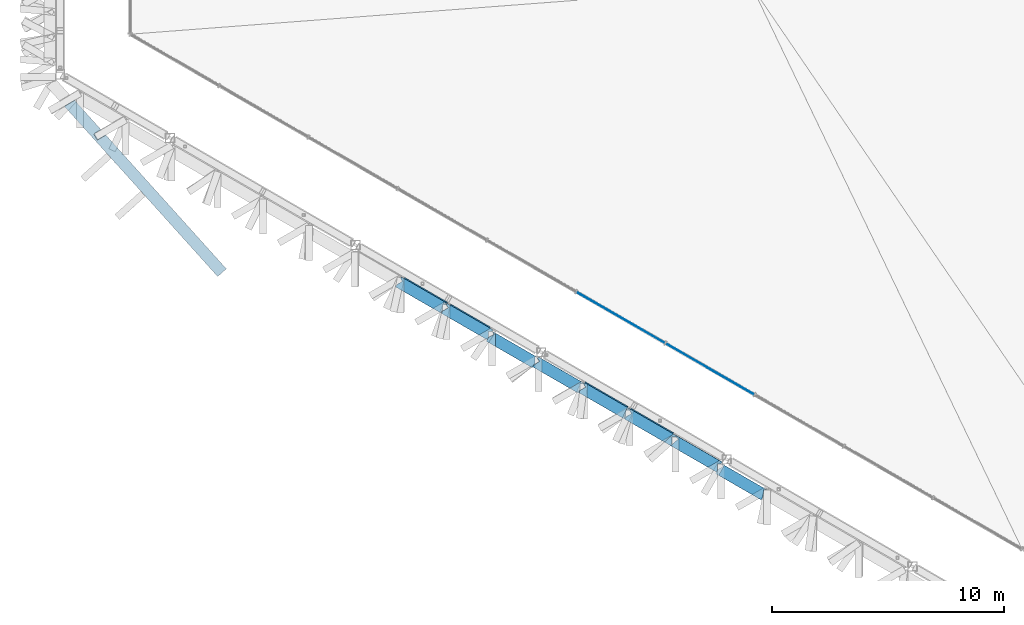
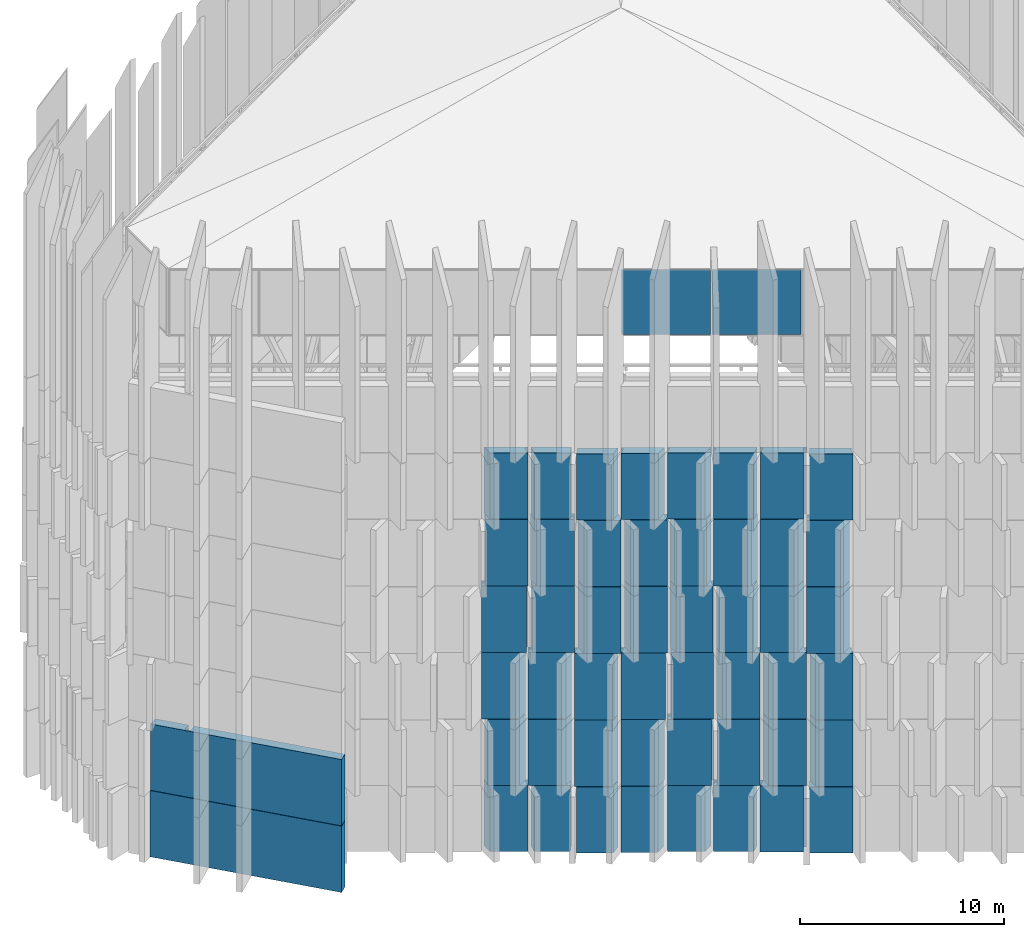
# One storey, part 26 of 45: 52 plates, 1 element without a shape of its own.
"""IFC4 building model written with IfcOpenShell, lengths in metres."""

from ifc_helpers import new_model, si_unit, direction, frame, origin, origin_2d, place, context, subcontext, project, spatial, polyline, rectangle, outline, extrude, material, layer, layer_set, type_object, element, aggregate, save


model = new_model("IFC4")

# Units and contexts
model_context = context("Model", 3, precision=1e-05, world=origin(), true_north=direction((0.0, 1.0)))
body_context = subcontext(model_context, "Body", "Model", "MODEL_VIEW")
ifc_project = project(units=[si_unit("LENGTHUNIT", "METRE"), si_unit("AREAUNIT", "SQUARE_METRE"), si_unit("VOLUMEUNIT", "CUBIC_METRE"), si_unit("PLANEANGLEUNIT", "RADIAN"), si_unit("MASSUNIT", "GRAM", prefix="KILO")], contexts=[model_context])

# Site, building, storey
site_placement = place(None, origin())
site = spatial("IfcSite", under=ifc_project, at=site_placement, CompositionType="ELEMENT")
building_placement = place(site_placement, origin())
building = spatial("IfcBuilding", under=site, at=building_placement, Name="Jabali Bay Hotel Tower and Convention Centre", CompositionType="ELEMENT")
storey_placement = place(building_placement, frame((0.0, 0.0, 322.39990234375)))
storey = spatial("IfcBuildingStorey", under=building, at=storey_placement, Name="Crown", CompositionType="ELEMENT", Elevation=322.39990234375)

# Curtain wall, plates
ifc_material_1 = material(Name="Aluminium and glass", Category="aluminium")
ifc_layer_1 = layer(ifc_material_1, 0.199951171875)
ifc_layer_set_1 = layer_set([ifc_layer_1], Name="Aluminium and glass")
curtain_wall_type = type_object("IfcCurtainWallType", Name="CW6 curtain wall", PredefinedType="NOTDEFINED", material=ifc_layer_set_1)
curtain_wall_placement = place(storey_placement, origin())
curtain_wall = element("IfcCurtainWall", 1, at=curtain_wall_placement, inside=storey, type_object=curtain_wall_type, Name="CW6 lantern glazing 5", PredefinedType="NOTDEFINED")
ifc_material_2 = material(Name="Glass", Category="glass")
ifc_layer_2 = layer(ifc_material_2, 0.031982421875)
ifc_layer_set_2 = layer_set([ifc_layer_2], Name="Glass")
plate_type_1 = type_object("IfcPlateType", Name="CW6 glass panel 32", PredefinedType="CURTAIN_PANEL", material=ifc_layer_set_2)
plate_1_placement = place(storey_placement, frame((69.345703125, 65.772216796875, 28.41015625), z_axis=(0.0, 0.0, 1.0), x_axis=(0.866025400826, -0.500000005124, 0.0)))
plate_1 = element("IfcPlate", 2, at=plate_1_placement, type_object=plate_type_1, Name="CW6 panel 6.1", PredefinedType="CURTAIN_PANEL", context=body_context, shape_type="SweptSolid", body=[
    extrude(rectangle(XDim=4.3740234375, YDim=0.031982421875, at=origin_2d()), origin(), (0.0, 0.0, 1.0), 3.8798828125),
])
plate_2_placement = place(storey_placement, frame((73.185546875, 63.55517578125, 28.41015625), z_axis=(0.0, 0.0, 1.0), x_axis=(0.866025400826, -0.500000005124, 0.0)))
plate_2 = element("IfcPlate", 3, at=plate_2_placement, type_object=plate_type_1, Name="CW6 panel 7.1", PredefinedType="CURTAIN_PANEL", context=body_context, shape_type="SweptSolid", body=[
    extrude(rectangle(XDim=4.3740234375, YDim=0.031982421875, at=origin_2d()), origin(), (0.0, 0.0, 1.0), 3.8798828125),
])
aggregate(curtain_wall, [plate_1, plate_2])

# Plates
ifc_material_3 = material(Name="Precast concrete C60", Category="concrete")
ifc_layer_3 = layer(ifc_material_3, 0.5)
ifc_layer_set_3 = layer_set([ifc_layer_3], Name="Precast concrete C60")
plate_type_2 = type_object("IfcPlateType", Name="Pierced precast screen", PredefinedType="USERDEFINED", material=ifc_layer_set_3)
plate_3_placement = place(storey_placement, frame((0.0, 0.0, 0.010009765625)))
element("IfcPlate", 4, at=plate_3_placement, inside=storey, type_object=plate_type_2, Name="Screen 1.4.63", ObjectType="SCREEN", PredefinedType="USERDEFINED", context=body_context, shape_type="SweptSolid", body=[
    extrude(outline(polyline([(61.90771484375, 66.42919921875), (60.048828125, 67.50244140625), (60.048828125, 66.925048828125), (61.650390625, 66.00048828125), (61.737548828125, 66.419189453125), (61.88427734375, 66.388427734375), (61.90771484375, 66.42919921875)])), origin(), (0.0, 0.0, 1.0), 3.9658203125),
])
plate_4_placement = place(storey_placement, frame((0.0, 0.0, 0.010009765625)))
element("IfcPlate", 5, at=plate_4_placement, inside=storey, type_object=plate_type_2, Name="Screen 1.4.64", ObjectType="SCREEN", PredefinedType="USERDEFINED", context=body_context, shape_type="SweptSolid", body=[
    extrude(outline(polyline([(63.749755859375, 65.36572265625), (62.03125, 66.35791015625), (61.923828125, 65.842529296875), (63.467529296875, 64.951171875), (63.749755859375, 65.36572265625)])), origin(), (0.0, 0.0, 1.0), 3.9658203125),
])
plate_5_placement = place(storey_placement, frame((0.0, 0.0, 0.010009765625)))
element("IfcPlate", 6, at=plate_5_placement, inside=storey, type_object=plate_type_2, Name="Screen 1.4.65", ObjectType="SCREEN", PredefinedType="USERDEFINED", context=body_context, shape_type="SweptSolid", body=[
    extrude(outline(polyline([(65.659423828125, 64.12109375), (63.940673828125, 65.11328125), (63.65869140625, 64.69873046875), (65.222412109375, 63.7958984375), (65.659423828125, 64.12109375)])), origin(), (0.0, 0.0, 1.0), 3.9658203125),
])
plate_6_placement = place(storey_placement, frame((0.0, 0.0, 0.010009765625)))
element("IfcPlate", 7, at=plate_6_placement, inside=storey, type_object=plate_type_2, Name="Screen 1.4.66", ObjectType="SCREEN", PredefinedType="USERDEFINED", context=body_context, shape_type="SweptSolid", body=[
    extrude(outline(polyline([(67.628662109375, 63.032958984375), (65.81005859375, 64.082763671875), (65.773193359375, 64.018798828125), (65.86279296875, 63.8984375), (65.583984375, 63.691162109375), (65.56005859375, 63.649658203125), (67.128662109375, 62.744140625), (67.628662109375, 63.032958984375)])), origin(), (0.0, 0.0, 1.0), 3.9658203125),
])
plate_7_placement = place(storey_placement, frame((0.0, 0.0, 0.010009765625)))
element("IfcPlate", 8, at=plate_7_placement, inside=storey, type_object=plate_type_2, Name="Screen 1.4.67", ObjectType="SCREEN", PredefinedType="USERDEFINED", context=body_context, shape_type="SweptSolid", body=[
    extrude(outline(polyline([(69.680908203125, 61.94140625), (67.822021484375, 63.0146484375), (67.784423828125, 62.94970703125), (67.859619140625, 62.81982421875), (67.634521484375, 62.68994140625), (67.572021484375, 62.58154296875), (69.180908203125, 61.652587890625), (69.680908203125, 61.94140625)])), origin(), (0.0, 0.0, 1.0), 3.9658203125),
])
plate_8_placement = place(storey_placement, frame((0.0, 0.0, 0.010009765625)))
element("IfcPlate", 9, at=plate_8_placement, inside=storey, type_object=plate_type_2, Name="Screen 1.4.68", ObjectType="SCREEN", PredefinedType="USERDEFINED", context=body_context, shape_type="SweptSolid", body=[
    extrude(outline(polyline([(71.641357421875, 60.8095703125), (69.79345703125, 61.87646484375), (69.755859375, 61.8115234375), (69.830810546875, 61.681640625), (69.60595703125, 61.5517578125), (69.54345703125, 61.443359375), (71.25, 60.4580078125), (71.641357421875, 60.8095703125)])), origin(), (0.0, 0.0, 1.0), 3.9658203125),
])
plate_9_placement = place(storey_placement, frame((0.0, 0.0, 0.010009765625)))
element("IfcPlate", 10, at=plate_9_placement, inside=storey, type_object=plate_type_2, Name="Screen 1.4.69", ObjectType="SCREEN", PredefinedType="USERDEFINED", context=body_context, shape_type="SweptSolid", body=[
    extrude(outline(polyline([(73.712890625, 59.5595703125), (71.7421875, 60.697021484375), (71.841796875, 60.58642578125), (71.499755859375, 60.279296875), (71.491455078125, 60.2646484375), (73.335205078125, 59.2001953125), (73.544189453125, 59.5673828125), (73.674560546875, 59.4931640625), (73.712890625, 59.5595703125)])), origin(), (0.0, 0.0, 1.0), 3.9658203125),
])
plate_10_placement = place(storey_placement, frame((0.0, 0.0, 0.010009765625)))
element("IfcPlate", 11, at=plate_10_placement, inside=storey, type_object=plate_type_2, Name="Screen 1.4.70", ObjectType="SCREEN", PredefinedType="USERDEFINED", context=body_context, shape_type="SweptSolid", body=[
    extrude(outline(polyline([(75.531005859375, 58.421630859375), (73.804443359375, 59.41845703125), (73.55712890625, 58.98388671875), (75.39599609375, 57.922119140625), (75.44921875, 58.014404296875), (75.531005859375, 58.421630859375)])), origin(), (0.0, 0.0, 1.0), 3.9658203125),
])
plate_11_placement = place(storey_placement, frame((0.0, 0.0, 3.995849609375)))
element("IfcPlate", 12, at=plate_11_placement, inside=storey, type_object=plate_type_2, Name="Screen 2.4.63", ObjectType="SCREEN", PredefinedType="USERDEFINED", context=body_context, shape_type="SweptSolid", body=[
    extrude(outline(polyline([(61.770263671875, 66.450927734375), (60.03515625, 67.45263671875), (59.922119140625, 66.9404296875), (61.270263671875, 66.162109375), (61.770263671875, 66.450927734375)])), origin(), (0.0, 0.0, 1.0), 3.965576171875),
])
plate_12_placement = place(storey_placement, frame((0.0, 0.0, 3.995849609375)))
element("IfcPlate", 13, at=plate_12_placement, inside=storey, type_object=plate_type_2, Name="Screen 2.4.64", ObjectType="SCREEN", PredefinedType="USERDEFINED", context=body_context, shape_type="SweptSolid", body=[
    extrude(outline(polyline([(63.74169921875, 65.312744140625), (61.8828125, 66.385986328125), (61.84521484375, 66.321044921875), (61.92041015625, 66.191162109375), (61.6953125, 66.06103515625), (61.6328125, 65.952880859375), (63.24169921875, 65.02392578125), (63.74169921875, 65.312744140625)])), origin(), (0.0, 0.0, 1.0), 3.965576171875),
])
plate_13_placement = place(storey_placement, frame((0.0, 0.0, 3.995849609375)))
element("IfcPlate", 14, at=plate_13_placement, inside=storey, type_object=plate_type_2, Name="Screen 2.4.65", ObjectType="SCREEN", PredefinedType="USERDEFINED", context=body_context, shape_type="SweptSolid", body=[
    extrude(outline(polyline([(65.66015625, 64.12060546875), (63.817626953125, 65.184326171875), (63.816650390625, 65.182861328125), (63.891845703125, 65.052734375), (63.666748046875, 64.9228515625), (63.567626953125, 64.751220703125), (65.16015625, 63.831787109375), (65.66015625, 64.12060546875)])), origin(), (0.0, 0.0, 1.0), 3.965576171875),
])
plate_14_placement = place(storey_placement, frame((0.0, 0.0, 3.995849609375)))
element("IfcPlate", 15, at=plate_14_placement, inside=storey, type_object=plate_type_2, Name="Screen 2.4.66", ObjectType="SCREEN", PredefinedType="USERDEFINED", context=body_context, shape_type="SweptSolid", body=[
    extrude(outline(polyline([(67.653564453125, 63.018310546875), (65.81005859375, 64.082763671875), (65.767822265625, 64.009521484375), (65.843017578125, 63.879638671875), (65.617919921875, 63.749755859375), (65.56005859375, 63.649658203125), (67.153564453125, 62.729736328125), (67.653564453125, 63.018310546875)])), origin(), (0.0, 0.0, 1.0), 3.965576171875),
])
plate_15_placement = place(storey_placement, frame((0.0, 0.0, 3.995849609375)))
element("IfcPlate", 16, at=plate_15_placement, inside=storey, type_object=plate_type_2, Name="Screen 2.4.67", ObjectType="SCREEN", PredefinedType="USERDEFINED", context=body_context, shape_type="SweptSolid", body=[
    extrude(outline(polyline([(69.768310546875, 61.8330078125), (67.797119140625, 62.97119140625), (67.759521484375, 62.906494140625), (67.83447265625, 62.7763671875), (67.609619140625, 62.646484375), (67.547119140625, 62.538330078125), (69.425537109375, 61.45361328125), (69.625732421875, 61.884765625), (69.76171875, 61.821533203125), (69.768310546875, 61.8330078125)])), origin(), (0.0, 0.0, 1.0), 3.965576171875),
])
plate_16_placement = place(storey_placement, frame((0.0, 0.0, 3.995849609375)))
element("IfcPlate", 17, at=plate_16_placement, inside=storey, type_object=plate_type_2, Name="Screen 2.4.68", ObjectType="SCREEN", PredefinedType="USERDEFINED", context=body_context, shape_type="SweptSolid", body=[
    extrude(outline(polyline([(71.73974609375, 60.69482421875), (69.897705078125, 61.75830078125), (69.6865234375, 61.30322265625), (71.48974609375, 60.261962890625), (71.55224609375, 60.3701171875), (71.55224609375, 60.6298828125), (71.702392578125, 60.6298828125), (71.73974609375, 60.69482421875)])), origin(), (0.0, 0.0, 1.0), 3.965576171875),
])
plate_17_placement = place(storey_placement, frame((0.0, 0.0, 3.995849609375)))
element("IfcPlate", 18, at=plate_17_placement, inside=storey, type_object=plate_type_2, Name="Screen 2.4.69", ObjectType="SCREEN", PredefinedType="USERDEFINED", context=body_context, shape_type="SweptSolid", body=[
    extrude(outline(polyline([(73.711181640625, 59.556640625), (71.852294921875, 60.6298828125), (71.852294921875, 60.052734375), (73.461181640625, 59.123779296875), (73.511962890625, 59.21142578125), (73.511962890625, 59.471435546875), (73.661865234375, 59.471435546875), (73.711181640625, 59.556640625)])), origin(), (0.0, 0.0, 1.0), 3.965576171875),
])
plate_18_placement = place(storey_placement, frame((0.0, 0.0, 3.995849609375)))
element("IfcPlate", 19, at=plate_18_placement, inside=storey, type_object=plate_type_2, Name="Screen 2.4.70", ObjectType="SCREEN", PredefinedType="USERDEFINED", context=body_context, shape_type="SweptSolid", body=[
    extrude(outline(polyline([(75.64599609375, 58.355224609375), (73.81201171875, 59.4140625), (73.81201171875, 58.836669921875), (75.39599609375, 57.922119140625), (75.4951171875, 58.09375), (75.4951171875, 58.353515625), (75.64501953125, 58.353515625), (75.64599609375, 58.355224609375)])), origin(), (0.0, 0.0, 1.0), 3.965576171875),
])
plate_19_placement = place(storey_placement, frame((0.0, 0.0, 7.9814453125)))
element("IfcPlate", 20, at=plate_19_placement, inside=storey, type_object=plate_type_2, Name="Screen 3.4.63", ObjectType="SCREEN", PredefinedType="USERDEFINED", context=body_context, shape_type="SweptSolid", body=[
    extrude(outline(polyline([(61.770263671875, 66.450927734375), (59.911376953125, 67.524169921875), (59.8798828125, 67.4697265625), (59.966552734375, 67.34716796875), (59.700927734375, 67.15966796875), (59.661376953125, 67.091064453125), (61.270263671875, 66.162109375), (61.770263671875, 66.450927734375)])), origin(), (0.0, 0.0, 1.0), 3.9658203125),
])
plate_20_placement = place(storey_placement, frame((0.0, 0.0, 7.9814453125)))
element("IfcPlate", 21, at=plate_20_placement, inside=storey, type_object=plate_type_2, Name="Screen 3.4.64", ObjectType="SCREEN", PredefinedType="USERDEFINED", context=body_context, shape_type="SweptSolid", body=[
    extrude(outline(polyline([(63.74169921875, 65.312744140625), (61.8828125, 66.385986328125), (61.84521484375, 66.321044921875), (61.92041015625, 66.191162109375), (61.6953125, 66.06103515625), (61.6328125, 65.952880859375), (63.24169921875, 65.02392578125), (63.74169921875, 65.312744140625)])), origin(), (0.0, 0.0, 1.0), 3.9658203125),
])
plate_21_placement = place(storey_placement, frame((0.0, 0.0, 7.9814453125)))
element("IfcPlate", 22, at=plate_21_placement, inside=storey, type_object=plate_type_2, Name="Screen 3.4.65", ObjectType="SCREEN", PredefinedType="USERDEFINED", context=body_context, shape_type="SweptSolid", body=[
    extrude(outline(polyline([(65.6591796875, 64.12109375), (63.817626953125, 65.184326171875), (63.816650390625, 65.182861328125), (63.891845703125, 65.052734375), (63.666748046875, 64.9228515625), (63.567626953125, 64.751220703125), (65.23876953125, 63.786376953125), (65.6591796875, 64.12109375)])), origin(), (0.0, 0.0, 1.0), 3.9658203125),
])
plate_22_placement = place(storey_placement, frame((0.0, 0.0, 7.9814453125)))
element("IfcPlate", 23, at=plate_22_placement, inside=storey, type_object=plate_type_2, Name="Screen 3.4.66", ObjectType="SCREEN", PredefinedType="USERDEFINED", context=body_context, shape_type="SweptSolid", body=[
    extrude(outline(polyline([(67.66162109375, 63.013916015625), (65.81005859375, 64.082763671875), (65.774658203125, 64.021240234375), (65.8681640625, 63.90380859375), (65.56982421875, 63.66650390625), (65.56005859375, 63.649658203125), (67.44873046875, 62.559326171875), (67.65185546875, 63.01806640625), (67.66162109375, 63.013916015625)])), origin(), (0.0, 0.0, 1.0), 3.9658203125),
])
plate_23_placement = place(storey_placement, frame((0.0, 0.0, 7.9814453125)))
element("IfcPlate", 24, at=plate_23_placement, inside=storey, type_object=plate_type_2, Name="Screen 3.4.67", ObjectType="SCREEN", PredefinedType="USERDEFINED", context=body_context, shape_type="SweptSolid", body=[
    extrude(outline(polyline([(69.768310546875, 61.8330078125), (67.92626953125, 62.896728515625), (67.72265625, 62.436767578125), (69.518310546875, 61.400146484375), (69.580810546875, 61.50830078125), (69.580810546875, 61.768310546875), (69.73095703125, 61.768310546875), (69.768310546875, 61.8330078125)])), origin(), (0.0, 0.0, 1.0), 3.9658203125),
])
plate_24_placement = place(storey_placement, frame((0.0, 0.0, 7.9814453125)))
element("IfcPlate", 25, at=plate_24_placement, inside=storey, type_object=plate_type_2, Name="Screen 3.4.68", ObjectType="SCREEN", PredefinedType="USERDEFINED", context=body_context, shape_type="SweptSolid", body=[
    extrude(outline(polyline([(71.73974609375, 60.69482421875), (69.880859375, 61.76806640625), (69.880859375, 61.19091796875), (71.48974609375, 60.261962890625), (71.55224609375, 60.3701171875), (71.55224609375, 60.6298828125), (71.702392578125, 60.6298828125), (71.73974609375, 60.69482421875)])), origin(), (0.0, 0.0, 1.0), 3.9658203125),
])
plate_25_placement = place(storey_placement, frame((0.0, 0.0, 7.9814453125)))
element("IfcPlate", 26, at=plate_25_placement, inside=storey, type_object=plate_type_2, Name="Screen 3.4.69", ObjectType="SCREEN", PredefinedType="USERDEFINED", context=body_context, shape_type="SweptSolid", body=[
    extrude(outline(polyline([(73.711181640625, 59.556640625), (71.852294921875, 60.6298828125), (71.852294921875, 60.052734375), (73.461181640625, 59.123779296875), (73.511962890625, 59.21142578125), (73.511962890625, 59.471435546875), (73.661865234375, 59.471435546875), (73.711181640625, 59.556640625)])), origin(), (0.0, 0.0, 1.0), 3.9658203125),
])
plate_26_placement = place(storey_placement, frame((0.0, 0.0, 7.9814453125)))
element("IfcPlate", 27, at=plate_26_placement, inside=storey, type_object=plate_type_2, Name="Screen 3.4.70", ObjectType="SCREEN", PredefinedType="USERDEFINED", context=body_context, shape_type="SweptSolid", body=[
    extrude(outline(polyline([(75.5830078125, 58.3916015625), (73.81201171875, 59.4140625), (73.81201171875, 58.836669921875), (75.39599609375, 57.922119140625), (75.42578125, 57.973876953125), (75.51123046875, 58.40576171875), (75.5830078125, 58.3916015625)])), origin(), (0.0, 0.0, 1.0), 3.9658203125),
])
plate_27_placement = place(storey_placement, frame((0.0, 0.0, 11.96728515625)))
element("IfcPlate", 28, at=plate_27_placement, inside=storey, type_object=plate_type_2, Name="Screen 4.4.63", ObjectType="SCREEN", PredefinedType="USERDEFINED", context=body_context, shape_type="SweptSolid", body=[
    extrude(outline(polyline([(61.8828125, 66.385986328125), (59.911376953125, 67.524169921875), (59.8740234375, 67.459228515625), (59.948974609375, 67.329345703125), (59.723876953125, 67.19921875), (59.661376953125, 67.091064453125), (61.568359375, 65.989990234375), (61.73046875, 66.418212890625), (61.870849609375, 66.364990234375), (61.8828125, 66.385986328125)])), origin(), (0.0, 0.0, 1.0), 3.965576171875),
])
plate_28_placement = place(storey_placement, frame((0.0, 0.0, 11.96728515625)))
element("IfcPlate", 29, at=plate_28_placement, inside=storey, type_object=plate_type_2, Name="Screen 4.4.64", ObjectType="SCREEN", PredefinedType="USERDEFINED", context=body_context, shape_type="SweptSolid", body=[
    extrude(outline(polyline([(63.854248046875, 65.247802734375), (62.010986328125, 66.311767578125), (61.83154296875, 65.838134765625), (63.604248046875, 64.814697265625), (63.666748046875, 64.9228515625), (63.666748046875, 65.182861328125), (63.816650390625, 65.182861328125), (63.854248046875, 65.247802734375)])), origin(), (0.0, 0.0, 1.0), 3.965576171875),
])
plate_29_placement = place(storey_placement, frame((0.0, 0.0, 11.96728515625)))
element("IfcPlate", 30, at=plate_29_placement, inside=storey, type_object=plate_type_2, Name="Screen 4.4.65", ObjectType="SCREEN", PredefinedType="USERDEFINED", context=body_context, shape_type="SweptSolid", body=[
    extrude(outline(polyline([(65.7255859375, 64.082763671875), (63.966796875, 65.09814453125), (63.966796875, 64.52099609375), (65.5390625, 63.613037109375), (65.66015625, 63.822998046875), (65.66015625, 64.082763671875), (65.7255859375, 64.082763671875)])), origin(), (0.0, 0.0, 1.0), 3.965576171875),
])
plate_30_placement = place(storey_placement, frame((0.0, 0.0, 11.96728515625)))
element("IfcPlate", 31, at=plate_30_placement, inside=storey, type_object=plate_type_2, Name="Screen 4.4.66", ObjectType="SCREEN", PredefinedType="USERDEFINED", context=body_context, shape_type="SweptSolid", body=[
    extrude(outline(polyline([(67.781494140625, 62.944580078125), (65.960205078125, 63.99609375), (65.960205078125, 63.418701171875), (67.531494140625, 62.511474609375), (67.609619140625, 62.646484375), (67.609619140625, 62.906494140625), (67.759521484375, 62.906494140625), (67.781494140625, 62.944580078125)])), origin(), (0.0, 0.0, 1.0), 3.965576171875),
])
plate_31_placement = place(storey_placement, frame((0.0, 0.0, 11.96728515625)))
element("IfcPlate", 32, at=plate_31_placement, inside=storey, type_object=plate_type_2, Name="Screen 4.4.67", ObjectType="SCREEN", PredefinedType="USERDEFINED", context=body_context, shape_type="SweptSolid", body=[
    extrude(outline(polyline([(69.768310546875, 61.8330078125), (67.909423828125, 62.90625), (67.909423828125, 62.3291015625), (69.495849609375, 61.4130859375), (69.6025390625, 61.83447265625), (69.748046875, 61.7978515625), (69.768310546875, 61.8330078125)])), origin(), (0.0, 0.0, 1.0), 3.965576171875),
])
plate_32_placement = place(storey_placement, frame((0.0, 0.0, 11.96728515625)))
element("IfcPlate", 33, at=plate_32_placement, inside=storey, type_object=plate_type_2, Name="Screen 4.4.68", ObjectType="SCREEN", PredefinedType="USERDEFINED", context=body_context, shape_type="SweptSolid", body=[
    extrude(outline(polyline([(71.61767578125, 60.765380859375), (69.893310546875, 61.760986328125), (69.765869140625, 61.257080078125), (71.210205078125, 60.42333984375), (71.61767578125, 60.765380859375)])), origin(), (0.0, 0.0, 1.0), 3.965576171875),
])
plate_33_placement = place(storey_placement, frame((0.0, 0.0, 11.96728515625)))
element("IfcPlate", 34, at=plate_33_placement, inside=storey, type_object=plate_type_2, Name="Screen 4.4.69", ObjectType="SCREEN", PredefinedType="USERDEFINED", context=body_context, shape_type="SweptSolid", body=[
    extrude(outline(polyline([(73.5986328125, 59.62158203125), (71.73974609375, 60.69482421875), (71.714111328125, 60.650634765625), (71.810546875, 60.53564453125), (71.49462890625, 60.2705078125), (71.48974609375, 60.261962890625), (73.0986328125, 59.3330078125), (73.5986328125, 59.62158203125)])), origin(), (0.0, 0.0, 1.0), 3.965576171875),
])
plate_34_placement = place(storey_placement, frame((0.0, 0.0, 11.96728515625)))
element("IfcPlate", 35, at=plate_34_placement, inside=storey, type_object=plate_type_2, Name="Screen 4.4.70", ObjectType="SCREEN", PredefinedType="USERDEFINED", context=body_context, shape_type="SweptSolid", body=[
    extrude(outline(polyline([(75.496826171875, 58.441162109375), (73.674560546875, 59.493408203125), (73.673828125, 59.49169921875), (73.748779296875, 59.36181640625), (73.523681640625, 59.23193359375), (73.424560546875, 59.060302734375), (74.996826171875, 58.152587890625), (75.496826171875, 58.441162109375)])), origin(), (0.0, 0.0, 1.0), 3.965576171875),
])
plate_35_placement = place(storey_placement, frame((0.0, 0.0, 15.952880859375)))
element("IfcPlate", 36, at=plate_35_placement, inside=storey, type_object=plate_type_2, Name="Screen 5.4.63", ObjectType="SCREEN", PredefinedType="USERDEFINED", context=body_context, shape_type="SweptSolid", body=[
    extrude(outline(polyline([(61.8828125, 66.385986328125), (60.041015625, 67.44921875), (59.82470703125, 66.996826171875), (61.6328125, 65.952880859375), (61.6953125, 66.06103515625), (61.6953125, 66.321044921875), (61.84521484375, 66.321044921875), (61.8828125, 66.385986328125)])), origin(), (0.0, 0.0, 1.0), 3.9658203125),
])
plate_36_placement = place(storey_placement, frame((0.0, 0.0, 15.952880859375)))
element("IfcPlate", 37, at=plate_36_placement, inside=storey, type_object=plate_type_2, Name="Screen 5.4.64", ObjectType="SCREEN", PredefinedType="USERDEFINED", context=body_context, shape_type="SweptSolid", body=[
    extrude(outline(polyline([(63.854248046875, 65.247802734375), (61.995361328125, 66.32080078125), (61.995361328125, 65.74365234375), (63.604248046875, 64.814697265625), (63.666748046875, 64.9228515625), (63.666748046875, 65.182861328125), (63.816650390625, 65.182861328125), (63.854248046875, 65.247802734375)])), origin(), (0.0, 0.0, 1.0), 3.9658203125),
])
plate_37_placement = place(storey_placement, frame((0.0, 0.0, 15.952880859375)))
element("IfcPlate", 38, at=plate_37_placement, inside=storey, type_object=plate_type_2, Name="Screen 5.4.65", ObjectType="SCREEN", PredefinedType="USERDEFINED", context=body_context, shape_type="SweptSolid", body=[
    extrude(outline(polyline([(65.7255859375, 64.082763671875), (63.966796875, 65.09814453125), (63.966796875, 64.52099609375), (65.5390625, 63.613037109375), (65.66015625, 63.822998046875), (65.66015625, 64.082763671875), (65.7255859375, 64.082763671875)])), origin(), (0.0, 0.0, 1.0), 3.9658203125),
])
plate_38_placement = place(storey_placement, frame((0.0, 0.0, 15.952880859375)))
element("IfcPlate", 39, at=plate_38_placement, inside=storey, type_object=plate_type_2, Name="Screen 5.4.66", ObjectType="SCREEN", PredefinedType="USERDEFINED", context=body_context, shape_type="SweptSolid", body=[
    extrude(outline(polyline([(67.781494140625, 62.944580078125), (65.960205078125, 63.99609375), (65.960205078125, 63.418701171875), (67.531494140625, 62.511474609375), (67.575927734375, 62.58837890625), (67.618896484375, 62.938720703125), (67.767822265625, 62.920654296875), (67.781494140625, 62.944580078125)])), origin(), (0.0, 0.0, 1.0), 3.9658203125),
])
plate_39_placement = place(storey_placement, frame((0.0, 0.0, 15.952880859375)))
element("IfcPlate", 40, at=plate_39_placement, inside=storey, type_object=plate_type_2, Name="Screen 5.4.67", ObjectType="SCREEN", PredefinedType="USERDEFINED", context=body_context, shape_type="SweptSolid", body=[
    extrude(outline(polyline([(69.649658203125, 61.901611328125), (67.91650390625, 62.90234375), (67.8505859375, 62.363037109375), (69.20654296875, 61.580078125), (69.649658203125, 61.901611328125)])), origin(), (0.0, 0.0, 1.0), 3.9658203125),
])
plate_40_placement = place(storey_placement, frame((0.0, 0.0, 15.952880859375)))
element("IfcPlate", 41, at=plate_40_placement, inside=storey, type_object=plate_type_2, Name="Screen 5.4.68", ObjectType="SCREEN", PredefinedType="USERDEFINED", context=body_context, shape_type="SweptSolid", body=[
    extrude(outline(polyline([(71.627197265625, 60.760009765625), (69.768310546875, 61.8330078125), (69.73779296875, 61.7802734375), (69.825927734375, 61.65869140625), (69.5537109375, 61.46142578125), (69.518310546875, 61.400146484375), (71.127197265625, 60.47119140625), (71.627197265625, 60.760009765625)])), origin(), (0.0, 0.0, 1.0), 3.9658203125),
])
plate_41_placement = place(storey_placement, frame((0.0, 0.0, 15.952880859375)))
element("IfcPlate", 42, at=plate_41_placement, inside=storey, type_object=plate_type_2, Name="Screen 5.4.69", ObjectType="SCREEN", PredefinedType="USERDEFINED", context=body_context, shape_type="SweptSolid", body=[
    extrude(outline(polyline([(73.5986328125, 59.62158203125), (71.73974609375, 60.69482421875), (71.702392578125, 60.6298828125), (71.77734375, 60.5), (71.55224609375, 60.3701171875), (71.48974609375, 60.261962890625), (73.0986328125, 59.3330078125), (73.5986328125, 59.62158203125)])), origin(), (0.0, 0.0, 1.0), 3.9658203125),
])
plate_42_placement = place(storey_placement, frame((0.0, 0.0, 15.952880859375)))
element("IfcPlate", 43, at=plate_42_placement, inside=storey, type_object=plate_type_2, Name="Screen 5.4.70", ObjectType="SCREEN", PredefinedType="USERDEFINED", context=body_context, shape_type="SweptSolid", body=[
    extrude(outline(polyline([(75.496826171875, 58.441162109375), (73.674560546875, 59.493408203125), (73.673828125, 59.49169921875), (73.748779296875, 59.36181640625), (73.523681640625, 59.23193359375), (73.424560546875, 59.060302734375), (74.996826171875, 58.152587890625), (75.496826171875, 58.441162109375)])), origin(), (0.0, 0.0, 1.0), 3.9658203125),
])
plate_43_placement = place(storey_placement, frame((0.0, 0.0, 19.938720703125)))
element("IfcPlate", 44, at=plate_43_placement, inside=storey, type_object=plate_type_2, Name="Screen 6.4.63", ObjectType="SCREEN", PredefinedType="USERDEFINED", context=body_context, shape_type="SweptSolid", body=[
    extrude(outline(polyline([(61.8828125, 66.385986328125), (60.02392578125, 67.458984375), (60.02392578125, 66.8818359375), (61.625244140625, 65.957275390625), (61.71240234375, 66.375732421875), (61.859375, 66.34521484375), (61.8828125, 66.385986328125)])), origin(), (0.0, 0.0, 1.0), 3.965576171875),
])
plate_44_placement = place(storey_placement, frame((0.0, 0.0, 19.938720703125)))
element("IfcPlate", 45, at=plate_44_placement, inside=storey, type_object=plate_type_2, Name="Screen 6.4.64", ObjectType="SCREEN", PredefinedType="USERDEFINED", context=body_context, shape_type="SweptSolid", body=[
    extrude(outline(polyline([(63.724609375, 65.322509765625), (62.006103515625, 66.314697265625), (61.89892578125, 65.79931640625), (63.442626953125, 64.907958984375), (63.724609375, 65.322509765625)])), origin(), (0.0, 0.0, 1.0), 3.965576171875),
])
plate_45_placement = place(storey_placement, frame((0.0, 0.0, 19.938720703125)))
element("IfcPlate", 46, at=plate_45_placement, inside=storey, type_object=plate_type_2, Name="Screen 6.4.65", ObjectType="SCREEN", PredefinedType="USERDEFINED", context=body_context, shape_type="SweptSolid", body=[
    extrude(outline(polyline([(65.659423828125, 64.12109375), (63.94384765625, 65.111328125), (63.661865234375, 64.697021484375), (65.222412109375, 63.7958984375), (65.659423828125, 64.12109375)])), origin(), (0.0, 0.0, 1.0), 3.965576171875),
])
plate_46_placement = place(storey_placement, frame((0.0, 0.0, 19.938720703125)))
element("IfcPlate", 47, at=plate_46_placement, inside=storey, type_object=plate_type_2, Name="Screen 6.4.66", ObjectType="SCREEN", PredefinedType="USERDEFINED", context=body_context, shape_type="SweptSolid", body=[
    extrude(outline(polyline([(67.653564453125, 63.018310546875), (65.81005859375, 64.082763671875), (65.773193359375, 64.018798828125), (65.86279296875, 63.8984375), (65.583984375, 63.691162109375), (65.56005859375, 63.649658203125), (67.153564453125, 62.729736328125), (67.653564453125, 63.018310546875)])), origin(), (0.0, 0.0, 1.0), 3.965576171875),
])
plate_47_placement = place(storey_placement, frame((0.0, 0.0, 19.938720703125)))
element("IfcPlate", 48, at=plate_47_placement, inside=storey, type_object=plate_type_2, Name="Screen 6.4.67", ObjectType="SCREEN", PredefinedType="USERDEFINED", context=body_context, shape_type="SweptSolid", body=[
    extrude(outline(polyline([(69.656005859375, 61.898193359375), (67.797119140625, 62.97119140625), (67.759521484375, 62.906494140625), (67.83447265625, 62.7763671875), (67.609619140625, 62.646484375), (67.547119140625, 62.538330078125), (69.156005859375, 61.609375), (69.656005859375, 61.898193359375)])), origin(), (0.0, 0.0, 1.0), 3.965576171875),
])
plate_48_placement = place(storey_placement, frame((0.0, 0.0, 19.938720703125)))
element("IfcPlate", 49, at=plate_48_placement, inside=storey, type_object=plate_type_2, Name="Screen 6.4.68", ObjectType="SCREEN", PredefinedType="USERDEFINED", context=body_context, shape_type="SweptSolid", body=[
    extrude(outline(polyline([(71.6162109375, 60.76611328125), (69.768310546875, 61.8330078125), (69.73095703125, 61.768310546875), (69.805908203125, 61.63818359375), (69.580810546875, 61.50830078125), (69.518310546875, 61.400146484375), (71.224853515625, 60.414794921875), (71.6162109375, 60.76611328125)])), origin(), (0.0, 0.0, 1.0), 3.965576171875),
])
plate_49_placement = place(storey_placement, frame((0.0, 0.0, 19.938720703125)))
element("IfcPlate", 50, at=plate_49_placement, inside=storey, type_object=plate_type_2, Name="Screen 6.4.69", ObjectType="SCREEN", PredefinedType="USERDEFINED", context=body_context, shape_type="SweptSolid", body=[
    extrude(outline(polyline([(73.711181640625, 59.556640625), (71.73974609375, 60.69482421875), (71.716552734375, 60.654541015625), (71.81689453125, 60.54296875), (71.498291015625, 60.257080078125), (73.33349609375, 59.197509765625), (73.544189453125, 59.5673828125), (73.674560546875, 59.4931640625), (73.711181640625, 59.556640625)])), origin(), (0.0, 0.0, 1.0), 3.965576171875),
])
plate_50_placement = place(storey_placement, frame((0.0, 0.0, 19.938720703125)))
element("IfcPlate", 51, at=plate_50_placement, inside=storey, type_object=plate_type_2, Name="Screen 6.4.70", ObjectType="SCREEN", PredefinedType="USERDEFINED", context=body_context, shape_type="SweptSolid", body=[
    extrude(outline(polyline([(75.581298828125, 58.392578125), (73.804443359375, 59.41845703125), (73.55712890625, 58.98388671875), (75.39599609375, 57.922119140625), (75.42431640625, 57.970947265625), (75.511474609375, 58.406494140625), (75.581298828125, 58.392578125)])), origin(), (0.0, 0.0, 1.0), 3.965576171875),
])
plate_51_placement = place(storey_placement, frame((0.0, 0.0, 0.010009765625)))
element("IfcPlate", 52, at=plate_51_placement, inside=storey, type_object=plate_type_2, Name="Screen 1.W11", ObjectType="SCREEN", PredefinedType="USERDEFINED", context=body_context, shape_type="SweptSolid", body=[
    extrude(outline(polyline([(46.97314453125, 73.87109375), (45.8349609375, 75.13525390625), (45.400146484375, 74.870849609375), (52.0048828125, 67.53564453125), (52.37646484375, 67.8701171875), (47.17822265625, 73.643310546875), (46.846435546875, 73.45166015625), (46.696533203125, 73.71142578125), (46.97314453125, 73.87109375)])), origin(), (0.0, 0.0, 1.0), 3.9658203125),
])
plate_52_placement = place(storey_placement, frame((0.0, 0.0, 3.995849609375)))
element("IfcPlate", 53, at=plate_52_placement, inside=storey, type_object=plate_type_2, Name="Screen 2.W11", ObjectType="SCREEN", PredefinedType="USERDEFINED", context=body_context, shape_type="SweptSolid", body=[
    extrude(outline(polyline([(46.990234375, 73.852294921875), (45.846923828125, 75.1220703125), (45.404052734375, 74.866455078125), (52.0048828125, 67.53564453125), (52.37646484375, 67.8701171875), (47.1953125, 73.624267578125), (46.821533203125, 73.408447265625), (46.67138671875, 73.668212890625), (46.990234375, 73.852294921875)])), origin(), (0.0, 0.0, 1.0), 3.965576171875),
])

save(model, "model.ifc")
